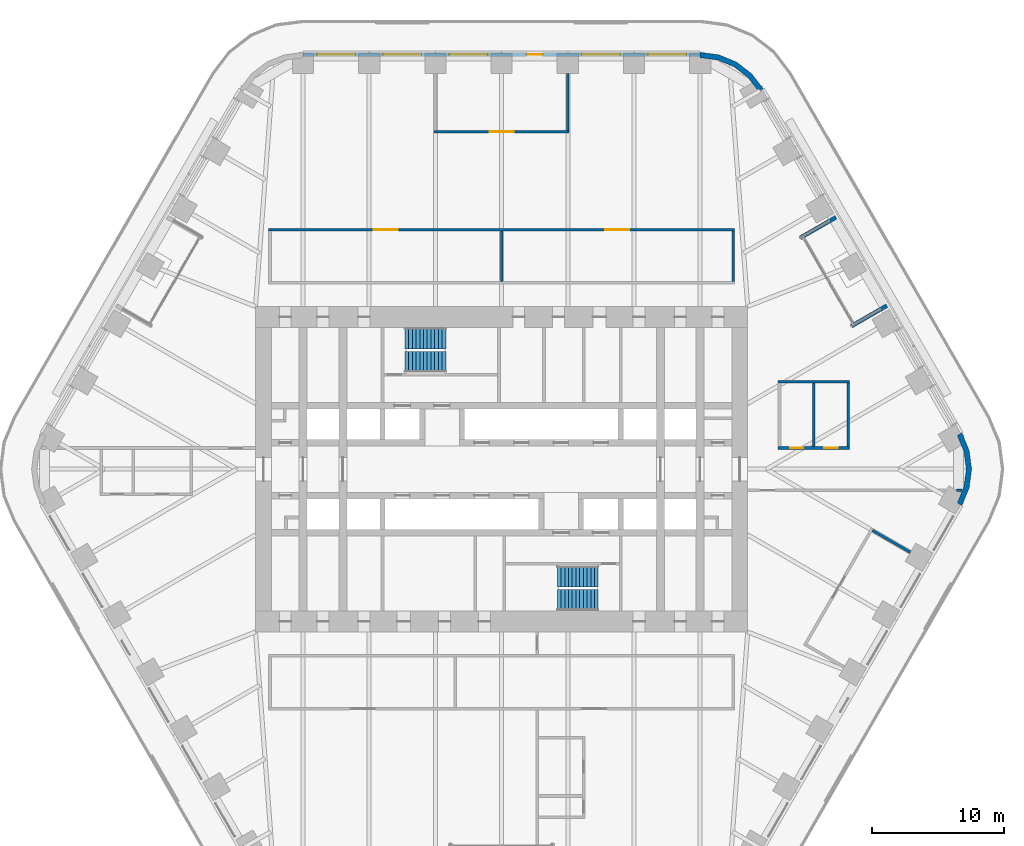
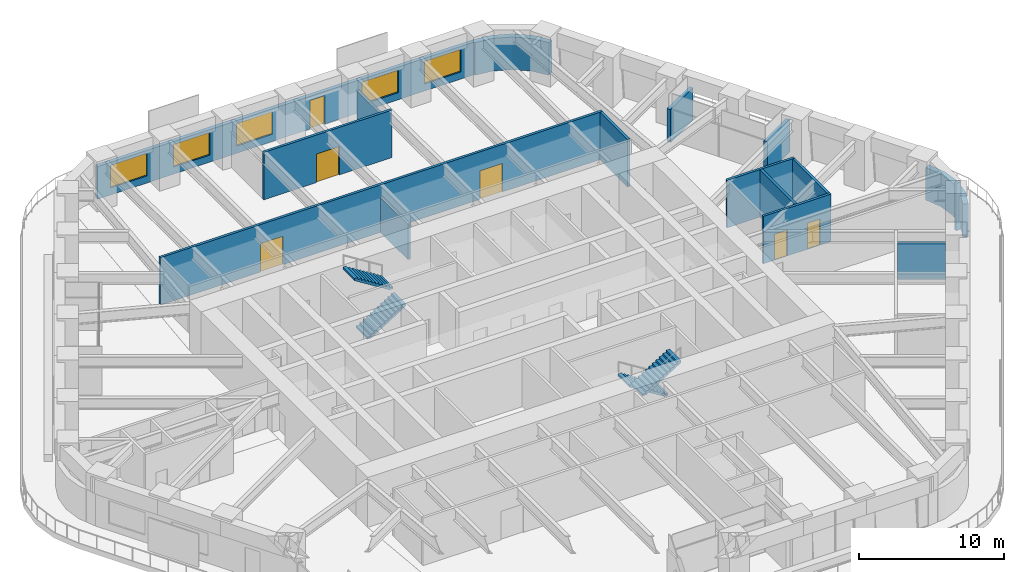
# One storey, part 21 of 24: 16 walls, 6 doors, 5 windows, 4 stair flights, 11 openings, 2 elements without a shape of their own.
"""IFC4 building model written with IfcOpenShell, lengths in metres."""

from ifc_helpers import new_model, si_unit, direction, frame, frame_2d, origin, place, context, subcontext, project, spatial, polyline, rectangle, outline, extrude, material, layer, layer_set, type_object, element, fill, aggregate, save


model = new_model("IFC4")

# Units and contexts
model_context = context("Model", 3, precision=1e-05, world=origin(), true_north=direction((0.0, 1.0)))
body_context = subcontext(model_context, "Body", "Model", "MODEL_VIEW")
ifc_project = project(units=[si_unit("LENGTHUNIT", "METRE"), si_unit("AREAUNIT", "SQUARE_METRE"), si_unit("VOLUMEUNIT", "CUBIC_METRE"), si_unit("PLANEANGLEUNIT", "RADIAN"), si_unit("MASSUNIT", "GRAM", prefix="KILO")], contexts=[model_context])

# Site, building, storey
site_placement = place(None, origin())
site = spatial("IfcSite", under=ifc_project, at=site_placement, CompositionType="ELEMENT")
building_placement = place(site_placement, origin())
building = spatial("IfcBuilding", under=site, at=building_placement, Name="Tarfa Lantern Tower", CompositionType="ELEMENT")
storey_placement = place(building_placement, frame((0.0, 0.0, 153.10009765625)))
storey = spatial("IfcBuildingStorey", under=building, at=storey_placement, Name="L34", CompositionType="ELEMENT", Elevation=153.10009765625)

# Walls
ifc_material_1 = material(Name="Limestone cladding on blockwork", Category="masonry")
ifc_layer_1 = layer(ifc_material_1, 0.300048828125)
ifc_layer_set_1 = layer_set([ifc_layer_1], Name="EW1 STONE-CLAD WALL 300")
wall_type_1 = type_object("IfcWallType", Name="EW1 STONE-CLAD WALL 300", PredefinedType="SOLIDWALL", material=ifc_layer_set_1)
wall_1_placement = place(storey_placement, frame((29.1201171875, 12.362548828125, 0.0), z_axis=(0.0, 0.0, 1.0), x_axis=(-0.86602952684, -0.49999285859, 0.0)))
element("IfcWall", 1, at=wall_1_placement, inside=storey, type_object=wall_type_1, Name="Loggia return NE 1", PredefinedType="SOLIDWALL", context=body_context, shape_type="SweptSolid", body=[
    extrude(rectangle(XDim=3.10009765625, YDim=0.300048828125, at=frame_2d((1.550048828125, 0.0))), origin(), (0.0, 0.0, 1.0), 2.75),
])
wall_2_placement = place(storey_placement, frame((25.266357421875, 19.037353515625, 0.0), z_axis=(0.0, 0.0, 1.0), x_axis=(-0.86600983753, -0.500026960575, 0.0)))
element("IfcWall", 2, at=wall_2_placement, inside=storey, type_object=wall_type_1, Name="Loggia return NE 2", PredefinedType="SOLIDWALL", context=body_context, shape_type="SweptSolid", body=[
    extrude(rectangle(XDim=3.099853515625, YDim=0.300048828125, at=frame_2d((1.5498046875, 0.0))), origin(), (0.0, 0.0, 1.0), 2.75),
])

# Wall, openings, door, windows
wall_3_placement = place(storey_placement, frame((15.010986328125, 31.35009765625, 0.0), z_axis=(0.0, 0.0, 1.0), x_axis=(-1.0, 0.0, 0.0)))
wall_3 = element("IfcWall", 3, at=wall_3_placement, inside=storey, type_object=wall_type_1, Name="Stone wall N", PredefinedType="SOLIDWALL", context=body_context, shape_type="SweptSolid", body=[
    extrude(rectangle(XDim=30.02197265625, YDim=0.300048828125, at=frame_2d((15.010986328125, 0.0))), origin(), (0.0, 0.0, 1.0), 2.75),
])
opening_1_placement = place(wall_3_placement, frame((1.0517578125, 0.0, 0.60009765625)))
opening_1 = element("IfcOpeningElement", 4, at=opening_1_placement, cuts=wall_3, Name="Opening W9", PredefinedType="OPENING", context=body_context, shape_type="SweptSolid", body=[
    extrude(rectangle(XDim=2.89990234375, YDim=1.89990234375, at=frame_2d((1.449951171875, 0.949951171875))), frame((0.0, 0.159912109375, 0.0), z_axis=(0.0, -1.0, 0.0), x_axis=(1.0, 0.0, 0.0)), (0.0, 0.0, 1.0), 0.320068359375),
])
opening_2_placement = place(wall_3_placement, frame((6.0556640625, 0.0, 0.60009765625)))
opening_2 = element("IfcOpeningElement", 5, at=opening_2_placement, cuts=wall_3, Name="Opening W9", PredefinedType="OPENING", context=body_context, shape_type="SweptSolid", body=[
    extrude(rectangle(XDim=2.89990234375, YDim=1.89990234375, at=frame_2d((1.449951171875, 0.949951171875))), frame((0.0, 0.159912109375, 0.0), z_axis=(0.0, -1.0, 0.0), x_axis=(1.0, 0.0, 0.0)), (0.0, 0.0, 1.0), 0.320068359375),
])
opening_3_placement = place(wall_3_placement, frame((11.9091796875, 0.0, 0.0)))
opening_3 = element("IfcOpeningElement", 6, at=opening_3_placement, cuts=wall_3, Name="Opening D48", PredefinedType="OPENING", context=body_context, shape_type="SweptSolid", body=[
    extrude(rectangle(XDim=1.199951171875, YDim=2.39990234375, at=frame_2d((0.60009765625, 1.199951171875))), frame((0.0, 0.159912109375, 0.0), z_axis=(0.0, -1.0, 0.0), x_axis=(1.0, 0.0, 0.0)), (0.0, 0.0, 1.0), 0.320068359375),
])
opening_4_placement = place(wall_3_placement, frame((16.06298828125, 0.0, 0.60009765625)))
opening_4 = element("IfcOpeningElement", 7, at=opening_4_placement, cuts=wall_3, Name="Opening W9", PredefinedType="OPENING", context=body_context, shape_type="SweptSolid", body=[
    extrude(rectangle(XDim=2.89990234375, YDim=1.89990234375, at=frame_2d((1.449951171875, 0.949951171875))), frame((0.0, 0.159912109375, 0.0), z_axis=(0.0, -1.0, 0.0), x_axis=(1.0, 0.0, 0.0)), (0.0, 0.0, 1.0), 0.320068359375),
])
opening_5_placement = place(wall_3_placement, frame((21.066650390625, 0.0, 0.60009765625)))
opening_5 = element("IfcOpeningElement", 8, at=opening_5_placement, cuts=wall_3, Name="Opening W9", PredefinedType="OPENING", context=body_context, shape_type="SweptSolid", body=[
    extrude(rectangle(XDim=2.89990234375, YDim=1.89990234375, at=frame_2d((1.449951171875, 0.949951171875))), frame((0.0, 0.159912109375, 0.0), z_axis=(0.0, -1.0, 0.0), x_axis=(1.0, 0.0, 0.0)), (0.0, 0.0, 1.0), 0.320068359375),
])
opening_6_placement = place(wall_3_placement, frame((26.0703125, 0.0, 0.60009765625)))
opening_6 = element("IfcOpeningElement", 9, at=opening_6_placement, cuts=wall_3, Name="Opening W9", PredefinedType="OPENING", context=body_context, shape_type="SweptSolid", body=[
    extrude(rectangle(XDim=2.89990234375, YDim=1.89990234375, at=frame_2d((1.449951171875, 0.949951171875))), frame((0.0, 0.159912109375, 0.0), z_axis=(0.0, -1.0, 0.0), x_axis=(1.0, 0.0, 0.0)), (0.0, 0.0, 1.0), 0.320068359375),
])
ifc_material_2 = material(Name="Aluminium framed glazed door", Category="aluminium")
door_type_1 = type_object("IfcDoorType", Name="BE3 BALCONY DOOR 1200x2400", OperationType="SINGLE_SWING_RIGHT", PredefinedType="DOOR", material=ifc_material_2)
door_1_placement = place(opening_3_placement, origin())
door_1 = element("IfcDoor", 10, at=door_1_placement, inside=storey, type_object=door_type_1, Name="Balcony door N", OperationType="SINGLE_SWING_RIGHT", OverallHeight=2.39990234375, OverallWidth=1.199951171875, PredefinedType="DOOR", context=body_context, shape_type="SweptSolid", body=[
    extrude(rectangle(XDim=1.199951171875, YDim=2.39990234375, at=frame_2d((0.60009765625, 1.199951171875))), frame((0.0, 0.02490234375, 0.0), z_axis=(0.0, -1.0, 0.0), x_axis=(1.0, 0.0, 0.0)), (0.0, 0.0, 1.0), 0.050048828125),
])
fill(opening_3, door_1)
ifc_material_3 = material(Name="Aluminium frame, double glazed", Category="aluminium")
window_type = type_object("IfcWindowType", Name="W9 FULL-HEIGHT GLAZING 2900x1900", PartitioningType="SINGLE_PANEL", PredefinedType="WINDOW", material=ifc_material_3)
window_1_placement = place(opening_1_placement, origin())
window_1 = element("IfcWindow", 11, at=window_1_placement, inside=storey, type_object=window_type, Name="Window N 1", OverallHeight=1.89990234375, OverallWidth=2.89990234375, PartitioningType="SINGLE_PANEL", PredefinedType="WINDOW", context=body_context, shape_type="SweptSolid", body=[
    extrude(rectangle(XDim=2.89990234375, YDim=1.89990234375, at=frame_2d((1.449951171875, 0.949951171875))), frame((0.0, 0.030029296875, 0.0), z_axis=(0.0, -1.0, 0.0), x_axis=(1.0, 0.0, 0.0)), (0.0, 0.0, 1.0), 0.06005859375),
])
fill(opening_1, window_1)
window_2_placement = place(opening_2_placement, origin())
window_2 = element("IfcWindow", 12, at=window_2_placement, inside=storey, type_object=window_type, Name="Window N 2", OverallHeight=1.89990234375, OverallWidth=2.89990234375, PartitioningType="SINGLE_PANEL", PredefinedType="WINDOW", context=body_context, shape_type="SweptSolid", body=[
    extrude(rectangle(XDim=2.89990234375, YDim=1.89990234375, at=frame_2d((1.449951171875, 0.949951171875))), frame((0.0, 0.030029296875, 0.0), z_axis=(0.0, -1.0, 0.0), x_axis=(1.0, 0.0, 0.0)), (0.0, 0.0, 1.0), 0.06005859375),
])
fill(opening_2, window_2)
window_3_placement = place(opening_4_placement, origin())
window_3 = element("IfcWindow", 13, at=window_3_placement, inside=storey, type_object=window_type, Name="Window N 4", OverallHeight=1.89990234375, OverallWidth=2.89990234375, PartitioningType="SINGLE_PANEL", PredefinedType="WINDOW", context=body_context, shape_type="SweptSolid", body=[
    extrude(rectangle(XDim=2.89990234375, YDim=1.89990234375, at=frame_2d((1.449951171875, 0.949951171875))), frame((0.0, 0.030029296875, 0.0), z_axis=(0.0, -1.0, 0.0), x_axis=(1.0, 0.0, 0.0)), (0.0, 0.0, 1.0), 0.06005859375),
])
fill(opening_4, window_3)
window_4_placement = place(opening_5_placement, origin())
window_4 = element("IfcWindow", 14, at=window_4_placement, inside=storey, type_object=window_type, Name="Window N 5", OverallHeight=1.89990234375, OverallWidth=2.89990234375, PartitioningType="SINGLE_PANEL", PredefinedType="WINDOW", context=body_context, shape_type="SweptSolid", body=[
    extrude(rectangle(XDim=2.89990234375, YDim=1.89990234375, at=frame_2d((1.449951171875, 0.949951171875))), frame((0.0, 0.030029296875, 0.0), z_axis=(0.0, -1.0, 0.0), x_axis=(1.0, 0.0, 0.0)), (0.0, 0.0, 1.0), 0.06005859375),
])
fill(opening_5, window_4)
window_5_placement = place(opening_6_placement, origin())
window_5 = element("IfcWindow", 15, at=window_5_placement, inside=storey, type_object=window_type, Name="Window N 6", OverallHeight=1.89990234375, OverallWidth=2.89990234375, PartitioningType="SINGLE_PANEL", PredefinedType="WINDOW", context=body_context, shape_type="SweptSolid", body=[
    extrude(rectangle(XDim=2.89990234375, YDim=1.89990234375, at=frame_2d((1.449951171875, 0.949951171875))), frame((0.0, 0.030029296875, 0.0), z_axis=(0.0, -1.0, 0.0), x_axis=(1.0, 0.0, 0.0)), (0.0, 0.0, 1.0), 0.06005859375),
])
fill(opening_6, window_5)

# Walls
ifc_layer_2 = layer(ifc_material_1, 0.39990234375)
ifc_layer_set_2 = layer_set([ifc_layer_2], Name="EW2 CURVED STONE CORNER 400")
wall_type_2 = type_object("IfcWallType", Name="EW2 CURVED STONE CORNER 400", PredefinedType="SOLIDWALL", material=ifc_layer_set_2)
wall_4_placement = place(storey_placement, origin())
element("IfcWall", 16, at=wall_4_placement, inside=storey, type_object=wall_type_2, Name="Stone corner NE-N", PredefinedType="SOLIDWALL", context=body_context, shape_type="SweptSolid", body=[
    extrude(outline(polyline([(19.774169921875, 28.75), (18.900146484375, 29.88916015625), (17.760986328125, 30.76318359375), (16.4345703125, 31.3125), (15.010986328125, 31.5), (15.010986328125, 31.10009765625), (16.3310546875, 30.92626953125), (17.56103515625, 30.416748046875), (18.617431640625, 29.606201171875), (19.427734375, 28.550048828125), (19.774169921875, 28.75)])), origin(), (0.0, 0.0, 1.0), 2.75),
])
wall_5_placement = place(storey_placement, origin())
element("IfcWall", 17, at=wall_5_placement, inside=storey, type_object=wall_type_2, Name="Stone corner SE-NE", PredefinedType="SOLIDWALL", context=body_context, shape_type="SweptSolid", body=[
    extrude(outline(polyline([(34.785400390625, -2.75), (35.334716796875, -1.423583984375), (35.522216796875, 0.0), (35.334716796875, 1.423583984375), (34.785400390625, 2.75), (34.43896484375, 2.550048828125), (34.948486328125, 1.320068359375), (35.122314453125, 0.0), (34.948486328125, -1.320068359375), (34.43896484375, -2.550048828125), (34.785400390625, -2.75)])), origin(), (0.0, 0.0, 1.0), 2.75),
])

# Wall, openings, doors
ifc_material_4 = material(Name="Gypsum board on steel studs", Category="steel")
ifc_layer_3 = layer(ifc_material_4, 0.2099609375)
ifc_layer_set_3 = layer_set([ifc_layer_3], Name="IW2 ACOUSTIC PARTITION 200")
wall_type_3 = type_object("IfcWallType", Name="IW2 ACOUSTIC PARTITION 200", PredefinedType="PARTITIONING", material=ifc_layer_set_3)
wall_6_placement = place(storey_placement, frame((-17.60009765625, 18.10009765625, 0.0), z_axis=(0.0, 0.0, 1.0), x_axis=(1.0, 0.0, 0.0)))
wall_6 = element("IfcWall", 18, at=wall_6_placement, inside=storey, type_object=wall_type_3, Name="Partition", PredefinedType="PARTITIONING", context=body_context, shape_type="SweptSolid", body=[
    extrude(rectangle(XDim=35.2001953125, YDim=0.199951171875, at=frame_2d((17.60009765625, 0.0))), origin(), (0.0, 0.0, 1.0), 4.0),
])
opening_7_placement = place(wall_6_placement, frame((7.949951171875, 0.0, 0.0)))
opening_7 = element("IfcOpeningElement", 19, at=opening_7_placement, cuts=wall_6, Name="Opening D37", PredefinedType="OPENING", context=body_context, shape_type="SweptSolid", body=[
    extrude(rectangle(XDim=1.800048828125, YDim=2.39990234375, at=frame_2d((0.89990234375, 1.199951171875))), frame((0.0, 0.10986328125, 0.0), z_axis=(0.0, -1.0, 0.0), x_axis=(1.0, 0.0, 0.0)), (0.0, 0.0, 1.0), 0.219970703125),
])
opening_8_placement = place(wall_6_placement, frame((25.449951171875, 0.0, 0.0)))
opening_8 = element("IfcOpeningElement", 20, at=opening_8_placement, cuts=wall_6, Name="Opening D38", PredefinedType="OPENING", context=body_context, shape_type="SweptSolid", body=[
    extrude(rectangle(XDim=1.800048828125, YDim=2.39990234375, at=frame_2d((0.89990234375, 1.199951171875))), frame((0.0, 0.10986328125, 0.0), z_axis=(0.0, -1.0, 0.0), x_axis=(1.0, 0.0, 0.0)), (0.0, 0.0, 1.0), 0.219970703125),
])
ifc_material_5 = material(Name="Timber door", Category="wood")
door_type_2 = type_object("IfcDoorType", Name="DR2 ROOM DOOR 1800x2400", OperationType="DOUBLE_DOOR_SINGLE_SWING", PredefinedType="DOOR", material=ifc_material_5)
door_2_placement = place(opening_7_placement, frame((1.800048828125, 0.0, 0.0), z_axis=(0.0, 0.0, 1.0), x_axis=(-1.0, 0.0, 0.0)))
door_2 = element("IfcDoor", 21, at=door_2_placement, inside=storey, type_object=door_type_2, Name="War room door", OperationType="DOUBLE_DOOR_SINGLE_SWING", OverallHeight=2.39990234375, OverallWidth=1.800048828125, PredefinedType="DOOR", context=body_context, shape_type="SweptSolid", body=[
    extrude(rectangle(XDim=1.800048828125, YDim=2.39990234375, at=frame_2d((0.89990234375, 1.199951171875))), frame((0.0, 0.02490234375, 0.0), z_axis=(0.0, -1.0, 0.0), x_axis=(1.0, 0.0, 0.0)), (0.0, 0.0, 1.0), 0.050048828125),
])
fill(opening_7, door_2)
door_3_placement = place(opening_8_placement, frame((1.800048828125, 0.0, 0.0), z_axis=(0.0, 0.0, 1.0), x_axis=(-1.0, 0.0, 0.0)))
door_3 = element("IfcDoor", 22, at=door_3_placement, inside=storey, type_object=door_type_2, Name="War room door", OperationType="DOUBLE_DOOR_SINGLE_SWING", OverallHeight=2.39990234375, OverallWidth=1.800048828125, PredefinedType="DOOR", context=body_context, shape_type="SweptSolid", body=[
    extrude(rectangle(XDim=1.800048828125, YDim=2.39990234375, at=frame_2d((0.89990234375, 1.199951171875))), frame((0.0, 0.02490234375, 0.0), z_axis=(0.0, -1.0, 0.0), x_axis=(1.0, 0.0, 0.0)), (0.0, 0.0, 1.0), 0.050048828125),
])
fill(opening_8, door_3)

# Walls
wall_7_placement = place(storey_placement, frame((0.0, 14.199951171875, 0.0), z_axis=(0.0, 0.0, 1.0), x_axis=(0.0, 1.0, 0.0)))
element("IfcWall", 23, at=wall_7_placement, inside=storey, type_object=wall_type_3, Name="Partition", PredefinedType="PARTITIONING", context=body_context, shape_type="SweptSolid", body=[
    extrude(rectangle(XDim=3.800048828125, YDim=0.199951171875, at=frame_2d((1.89990234375, 0.0))), origin(), (0.0, 0.0, 1.0), 2.99169921875),
])
wall_8_placement = place(storey_placement, frame((17.5, 14.199951171875, 0.0), z_axis=(0.0, 0.0, 1.0), x_axis=(0.0, 1.0, 0.0)))
element("IfcWall", 24, at=wall_8_placement, inside=storey, type_object=wall_type_3, Name="Partition", PredefinedType="PARTITIONING", context=body_context, shape_type="SweptSolid", body=[
    extrude(rectangle(XDim=3.800048828125, YDim=0.199951171875, at=frame_2d((1.89990234375, 0.0))), origin(), (0.0, 0.0, 1.0), 4.0),
])

# Wall, opening, door
wall_9_placement = place(storey_placement, frame((5.103759765625, 25.5, 0.0), z_axis=(0.0, 0.0, 1.0), x_axis=(-1.0, 0.0, 0.0)))
wall_9 = element("IfcWall", 25, at=wall_9_placement, inside=storey, type_object=wall_type_3, Name="Partition", PredefinedType="PARTITIONING", context=body_context, shape_type="SweptSolid", body=[
    extrude(rectangle(XDim=10.20751953125, YDim=0.199951171875, at=frame_2d((5.103759765625, 0.0))), origin(), (0.0, 0.0, 1.0), 4.0),
])
opening_9_placement = place(wall_9_placement, frame((4.20361328125, 0.0, 0.0)))
opening_9 = element("IfcOpeningElement", 26, at=opening_9_placement, cuts=wall_9, Name="Opening D35", PredefinedType="OPENING", context=body_context, shape_type="SweptSolid", body=[
    extrude(rectangle(XDim=1.800048828125, YDim=2.39990234375, at=frame_2d((0.89990234375, 1.199951171875))), frame((0.0, 0.10986328125, 0.0), z_axis=(0.0, -1.0, 0.0), x_axis=(1.0, 0.0, 0.0)), (0.0, 0.0, 1.0), 0.219970703125),
])
door_4_placement = place(opening_9_placement, frame((1.800048828125, 0.0, 0.0), z_axis=(0.0, 0.0, 1.0), x_axis=(-1.0, 0.0, 0.0)))
door_4 = element("IfcDoor", 27, at=door_4_placement, inside=storey, type_object=door_type_2, Name="Research library door", OperationType="DOUBLE_DOOR_SINGLE_SWING", OverallHeight=2.39990234375, OverallWidth=1.800048828125, PredefinedType="DOOR", context=body_context, shape_type="SweptSolid", body=[
    extrude(rectangle(XDim=1.800048828125, YDim=2.39990234375, at=frame_2d((0.89990234375, 1.199951171875))), frame((0.0, 0.02490234375, 0.0), z_axis=(0.0, -1.0, 0.0), x_axis=(1.0, 0.0, 0.0)), (0.0, 0.0, 1.0), 0.050048828125),
])
fill(opening_9, door_4)

# Walls
wall_10_placement = place(storey_placement, frame((5.003662109375, 25.60009765625, 0.0), z_axis=(0.0, 0.0, 1.0), x_axis=(0.0, 1.0, 0.0)))
element("IfcWall", 28, at=wall_10_placement, inside=storey, type_object=wall_type_3, Name="Partition", PredefinedType="PARTITIONING", context=body_context, shape_type="SweptSolid", body=[
    extrude(rectangle(XDim=4.2998046875, YDim=0.199951171875, at=frame_2d((2.14990234375, 0.0))), origin(), (0.0, 0.0, 1.0), 2.99169921875),
])
wall_11_placement = place(storey_placement, frame((28.0400390625, -4.63330078125, 0.0), z_axis=(0.0, 0.0, 1.0), x_axis=(0.866008176907, -0.50002983664, 0.0)))
element("IfcWall", 29, at=wall_11_placement, inside=storey, type_object=wall_type_3, Name="Partition", PredefinedType="PARTITIONING", context=body_context, shape_type="SweptSolid", body=[
    extrude(rectangle(XDim=3.300048828125, YDim=0.199951171875, at=frame_2d((1.64990234375, 0.0))), origin(), (0.0, 0.0, 1.0), 3.08154296875),
])

# Wall, openings, doors
wall_12_placement = place(storey_placement, frame((20.89990234375, 1.60009765625, 0.0), z_axis=(0.0, 0.0, 1.0), x_axis=(1.0, 0.0, 0.0)))
wall_12 = element("IfcWall", 30, at=wall_12_placement, inside=storey, type_object=wall_type_3, Name="Partition", PredefinedType="PARTITIONING", context=body_context, shape_type="SweptSolid", body=[
    extrude(rectangle(XDim=5.400146484375, YDim=0.199951171875, at=frame_2d((2.7001953125, 0.0))), origin(), (0.0, 0.0, 1.0), 4.0),
])
opening_10_placement = place(wall_12_placement, frame((0.89990234375, 0.0, 0.0)))
opening_10 = element("IfcOpeningElement", 31, at=opening_10_placement, cuts=wall_12, Name="Opening D33", PredefinedType="OPENING", context=body_context, shape_type="SweptSolid", body=[
    extrude(rectangle(XDim=1.0, YDim=2.199951171875, at=frame_2d((0.5, 1.10009765625))), frame((0.0, 0.10986328125, 0.0), z_axis=(0.0, -1.0, 0.0), x_axis=(1.0, 0.0, 0.0)), (0.0, 0.0, 1.0), 0.219970703125),
])
opening_11_placement = place(wall_12_placement, frame((3.5, 0.0, 0.0)))
opening_11 = element("IfcOpeningElement", 32, at=opening_11_placement, cuts=wall_12, Name="Opening D34", PredefinedType="OPENING", context=body_context, shape_type="SweptSolid", body=[
    extrude(rectangle(XDim=1.0, YDim=2.199951171875, at=frame_2d((0.5, 1.10009765625))), frame((0.0, 0.10986328125, 0.0), z_axis=(0.0, -1.0, 0.0), x_axis=(1.0, 0.0, 0.0)), (0.0, 0.0, 1.0), 0.219970703125),
])
door_type_3 = type_object("IfcDoorType", Name="DR1 ROOM DOOR 1000x2200", OperationType="SINGLE_SWING_LEFT", PredefinedType="DOOR", material=ifc_material_5)
door_5_placement = place(opening_10_placement, origin())
door_5 = element("IfcDoor", 33, at=door_5_placement, inside=storey, type_object=door_type_3, Name="Focus room door", OperationType="SINGLE_SWING_RIGHT", OverallHeight=2.199951171875, OverallWidth=1.0, PredefinedType="DOOR", context=body_context, shape_type="SweptSolid", body=[
    extrude(rectangle(XDim=1.0, YDim=2.199951171875, at=frame_2d((0.5, 1.10009765625))), frame((0.0, 0.02490234375, 0.0), z_axis=(0.0, -1.0, 0.0), x_axis=(1.0, 0.0, 0.0)), (0.0, 0.0, 1.0), 0.050048828125),
])
fill(opening_10, door_5)
door_6_placement = place(opening_11_placement, origin())
door_6 = element("IfcDoor", 34, at=door_6_placement, inside=storey, type_object=door_type_3, Name="Focus room door", OperationType="SINGLE_SWING_LEFT", OverallHeight=2.199951171875, OverallWidth=1.0, PredefinedType="DOOR", context=body_context, shape_type="SweptSolid", body=[
    extrude(rectangle(XDim=1.0, YDim=2.199951171875, at=frame_2d((0.5, 1.10009765625))), frame((0.0, 0.02490234375, 0.0), z_axis=(0.0, -1.0, 0.0), x_axis=(1.0, 0.0, 0.0)), (0.0, 0.0, 1.0), 0.050048828125),
])
fill(opening_11, door_6)

# Walls
wall_13_placement = place(storey_placement, frame((20.89990234375, 6.60009765625, 0.0), z_axis=(0.0, 0.0, 1.0), x_axis=(1.0, 0.0, 0.0)))
element("IfcWall", 35, at=wall_13_placement, inside=storey, type_object=wall_type_3, Name="Partition", PredefinedType="PARTITIONING", context=body_context, shape_type="SweptSolid", body=[
    extrude(rectangle(XDim=5.400146484375, YDim=0.199951171875, at=frame_2d((2.7001953125, 0.0))), origin(), (0.0, 0.0, 1.0), 4.0),
])
for number, where, z_axis, x_axis, name in (
    (36, (23.60009765625, 1.699951171875, 0.0), (0.0, 0.0, 1.0), (0.0, 1.0, 0.0), "Partition"),
    (37, (26.199951171875, 1.699951171875, 0.0), (0.0, 0.0, 1.0), (0.0, 1.0, 0.0), "Partition"),
):
    element("IfcWall", number, at=place(storey_placement, frame(where, z_axis=z_axis, x_axis=x_axis)), inside=storey, type_object=wall_type_3, Name=name, PredefinedType="PARTITIONING", context=body_context, shape_type="SweptSolid", body=[
        extrude(rectangle(XDim=4.800048828125, YDim=0.199951171875, at=frame_2d((2.39990234375, 0.0))), origin(), (0.0, 0.0, 1.0), 4.0),
    ])
wall_14_placement = place(storey_placement, frame((34.3935546875, -1.60009765625, 0.0), z_axis=(0.0, 0.0, 1.0), x_axis=(1.0, 0.0, 0.0)))
element("IfcWall", 38, at=wall_14_placement, inside=storey, type_object=wall_type_3, Name="Partition", PredefinedType="PARTITIONING", context=body_context, shape_type="SweptSolid", body=[
    extrude(rectangle(XDim=0.397705078125, YDim=0.199951171875, at=frame_2d((0.19873046875, 0.0))), origin(), (0.0, 0.0, 1.0), 4.0),
])

# Stair, stair flights
ifc_material_6 = material(Name="Concrete C40/50", Category="concrete")
stair_type = type_object("IfcStairType", Name="ST-T10 HALF-TURN STAIR 4200 RISE", PredefinedType="HALF_TURN_STAIR", material=ifc_material_6)
stair_1_placement = place(storey_placement, origin())
stair_1 = element("IfcStair", 39, at=stair_1_placement, inside=storey, type_object=stair_type, Name="Stair ST1", PredefinedType="HALF_TURN_STAIR")
stair_flight_type = type_object("IfcStairFlightType", Name="SF1 STAIR FLIGHT", PredefinedType="STRAIGHT", material=ifc_material_6)
stair_flight_1_placement = place(storey_placement, frame((-7.300048828125, 8.10009765625, 0.0), z_axis=(0.0, 0.0, 1.0), x_axis=(1.0, 0.0, 0.0)))
stair_flight_1 = element("IfcStairFlight", 40, at=stair_flight_1_placement, type_object=stair_flight_type, Name="ST1 flight 1", NumberOfRisers=12, NumberOfTreads=11, PredefinedType="STRAIGHT", RiserHeight=0.175, TreadLength=0.28, context=body_context, shape_type="SweptSolid", body=[
    extrude(outline(polyline([(0.0, 0.0), (0.0, 0.175048828125), (0.280029296875, 0.175048828125), (0.280029296875, 0.35009765625), (0.56005859375, 0.35009765625), (0.56005859375, 0.52490234375), (0.840087890625, 0.52490234375), (0.840087890625, 0.699951171875), (1.1201171875, 0.699951171875), (1.1201171875, 0.875), (1.39990234375, 0.875), (1.39990234375, 1.050048828125), (1.679931640625, 1.050048828125), (1.679931640625, 1.22509765625), (1.9599609375, 1.22509765625), (1.9599609375, 1.39990234375), (2.239990234375, 1.39990234375), (2.239990234375, 1.574951171875), (2.52001953125, 1.574951171875), (2.52001953125, 1.75), (2.800048828125, 1.75), (2.800048828125, 1.925048828125), (3.080078125, 1.925048828125), (3.080078125, 2.10009765625), (3.080078125, 1.748291015625), (0.28271484375, 0.0), (0.0, 0.0)])), frame((0.0, 0.800048828125, 0.0), z_axis=(0.0, -1.0, 0.0), x_axis=(1.0, 0.0, 0.0)), (0.0, 0.0, 1.0), 1.60009765625),
])
stair_flight_2_placement = place(storey_placement, frame((-4.219970703125, 9.89990234375, 2.099853515625), z_axis=(0.0, 0.0, 1.0), x_axis=(-1.0, 0.0, 0.0)))
stair_flight_2 = element("IfcStairFlight", 41, at=stair_flight_2_placement, type_object=stair_flight_type, Name="ST1 flight 2", NumberOfRisers=12, NumberOfTreads=11, PredefinedType="STRAIGHT", RiserHeight=0.175, TreadLength=0.28, context=body_context, shape_type="SweptSolid", body=[
    extrude(outline(polyline([(0.0, 0.0), (0.0, 0.175048828125), (0.280029296875, 0.175048828125), (0.280029296875, 0.35009765625), (0.56005859375, 0.35009765625), (0.56005859375, 0.52490234375), (0.840087890625, 0.52490234375), (0.840087890625, 0.699951171875), (1.1201171875, 0.699951171875), (1.1201171875, 0.875), (1.39990234375, 0.875), (1.39990234375, 1.050048828125), (1.679931640625, 1.050048828125), (1.679931640625, 1.22509765625), (1.9599609375, 1.22509765625), (1.9599609375, 1.39990234375), (2.239990234375, 1.39990234375), (2.239990234375, 1.574951171875), (2.52001953125, 1.574951171875), (2.52001953125, 1.75), (2.800048828125, 1.75), (2.800048828125, 1.925048828125), (3.080078125, 1.925048828125), (3.080078125, 2.10009765625), (3.080078125, 1.748291015625), (0.28271484375, 0.0), (0.0, 0.0)])), frame((0.0, 0.800048828125, 0.0), z_axis=(0.0, -1.0, 0.0), x_axis=(1.0, 0.0, 0.0)), (0.0, 0.0, 1.0), 1.60009765625),
])
aggregate(stair_1, [stair_flight_1, stair_flight_2])

stair_2_placement = place(storey_placement, origin())
stair_2 = element("IfcStair", 42, at=stair_2_placement, inside=storey, type_object=stair_type, Name="Stair ST2", PredefinedType="HALF_TURN_STAIR")
stair_flight_3_placement = place(storey_placement, frame((7.300048828125, -8.10009765625, 0.0), z_axis=(0.0, 0.0, 1.0), x_axis=(-1.0, 0.0, 0.0)))
stair_flight_3 = element("IfcStairFlight", 43, at=stair_flight_3_placement, type_object=stair_flight_type, Name="ST2 flight 1", NumberOfRisers=12, NumberOfTreads=11, PredefinedType="STRAIGHT", RiserHeight=0.175, TreadLength=0.28, context=body_context, shape_type="SweptSolid", body=[
    extrude(outline(polyline([(0.0, 0.0), (0.0, 0.175048828125), (0.280029296875, 0.175048828125), (0.280029296875, 0.35009765625), (0.56005859375, 0.35009765625), (0.56005859375, 0.52490234375), (0.840087890625, 0.52490234375), (0.840087890625, 0.699951171875), (1.1201171875, 0.699951171875), (1.1201171875, 0.875), (1.39990234375, 0.875), (1.39990234375, 1.050048828125), (1.679931640625, 1.050048828125), (1.679931640625, 1.22509765625), (1.9599609375, 1.22509765625), (1.9599609375, 1.39990234375), (2.239990234375, 1.39990234375), (2.239990234375, 1.574951171875), (2.52001953125, 1.574951171875), (2.52001953125, 1.75), (2.800048828125, 1.75), (2.800048828125, 1.925048828125), (3.080078125, 1.925048828125), (3.080078125, 2.10009765625), (3.080078125, 1.748291015625), (0.28271484375, 0.0), (0.0, 0.0)])), frame((0.0, 0.800048828125, 0.0), z_axis=(0.0, -1.0, 0.0), x_axis=(1.0, 0.0, 0.0)), (0.0, 0.0, 1.0), 1.60009765625),
])
stair_flight_4_placement = place(storey_placement, frame((4.219970703125, -9.89990234375, 2.099853515625), z_axis=(0.0, 0.0, 1.0), x_axis=(1.0, 0.0, 0.0)))
stair_flight_4 = element("IfcStairFlight", 44, at=stair_flight_4_placement, type_object=stair_flight_type, Name="ST2 flight 2", NumberOfRisers=12, NumberOfTreads=11, PredefinedType="STRAIGHT", RiserHeight=0.175, TreadLength=0.28, context=body_context, shape_type="SweptSolid", body=[
    extrude(outline(polyline([(0.0, 0.0), (0.0, 0.175048828125), (0.280029296875, 0.175048828125), (0.280029296875, 0.35009765625), (0.56005859375, 0.35009765625), (0.56005859375, 0.52490234375), (0.840087890625, 0.52490234375), (0.840087890625, 0.699951171875), (1.1201171875, 0.699951171875), (1.1201171875, 0.875), (1.39990234375, 0.875), (1.39990234375, 1.050048828125), (1.679931640625, 1.050048828125), (1.679931640625, 1.22509765625), (1.9599609375, 1.22509765625), (1.9599609375, 1.39990234375), (2.239990234375, 1.39990234375), (2.239990234375, 1.574951171875), (2.52001953125, 1.574951171875), (2.52001953125, 1.75), (2.800048828125, 1.75), (2.800048828125, 1.925048828125), (3.080078125, 1.925048828125), (3.080078125, 2.10009765625), (3.080078125, 1.748291015625), (0.28271484375, 0.0), (0.0, 0.0)])), frame((0.0, 0.800048828125, 0.0), z_axis=(0.0, -1.0, 0.0), x_axis=(1.0, 0.0, 0.0)), (0.0, 0.0, 1.0), 1.60009765625),
])
aggregate(stair_2, [stair_flight_3, stair_flight_4])

save(model, "model.ifc")
